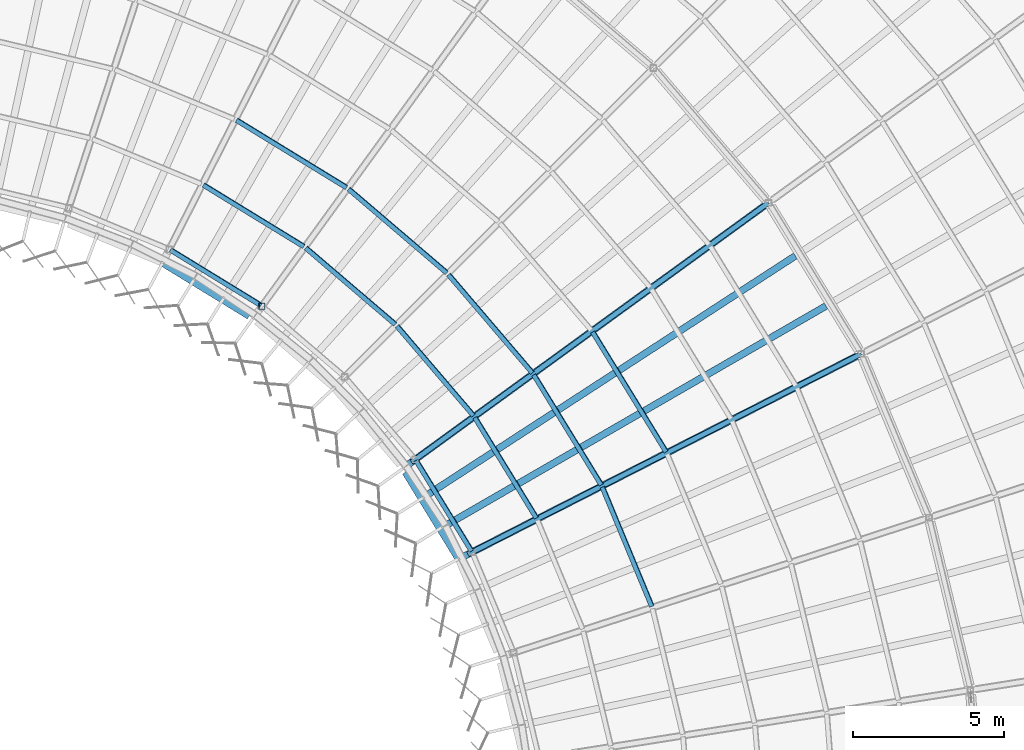
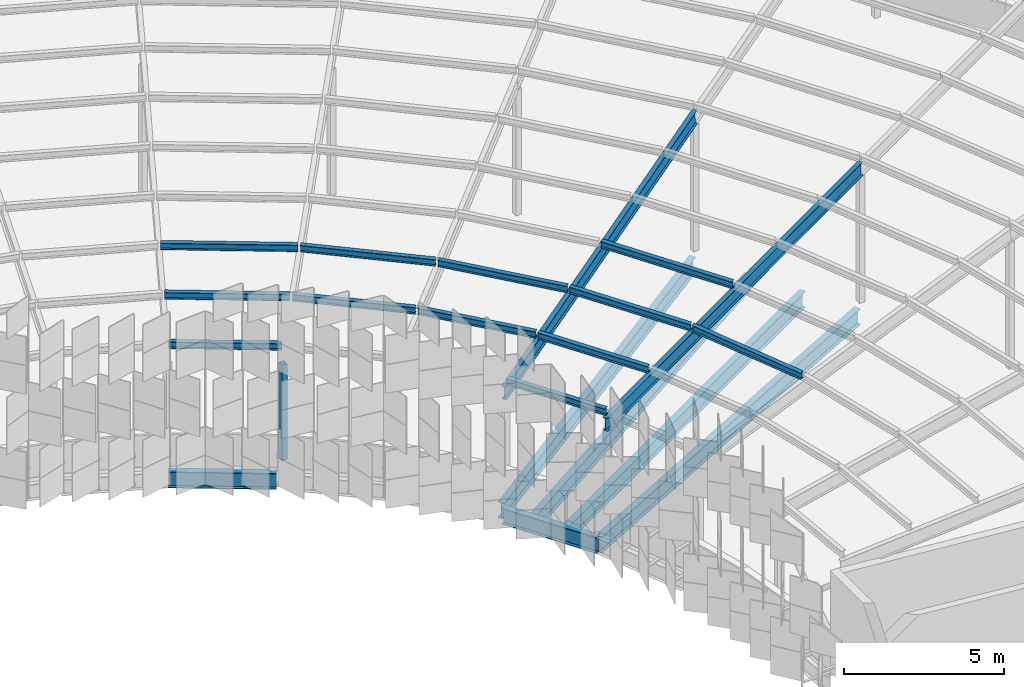
# One storey, part 83 of 483: 15 members, 6 beams.
"""IFC4 building model written with IfcOpenShell, lengths in metres."""

from ifc_helpers import new_model, si_unit, direction, frame, origin, origin_2d, place, context, subcontext, project, spatial, hollow_rectangle, i_section, extrude, material, material_profile, profile_set, type_object, element, save


model = new_model("IFC4")

# Units and contexts
model_context = context("Model", 3, precision=1e-05, world=origin(), true_north=direction((0.0, 1.0)))
body_context = subcontext(model_context, "Body", "Model", "MODEL_VIEW")
ifc_project = project(units=[si_unit("LENGTHUNIT", "METRE"), si_unit("AREAUNIT", "SQUARE_METRE"), si_unit("VOLUMEUNIT", "CUBIC_METRE"), si_unit("PLANEANGLEUNIT", "RADIAN"), si_unit("MASSUNIT", "GRAM", prefix="KILO")], contexts=[model_context])

# Site, building, storey
site_placement = place(None, origin())
site = spatial("IfcSite", under=ifc_project, at=site_placement, CompositionType="ELEMENT")
building_placement = place(site_placement, origin())
building = spatial("IfcBuilding", under=site, at=building_placement, Name="Parallax Yard Mobility Hub", CompositionType="ELEMENT")
storey_placement = place(building_placement, frame((0.0, 0.0, 13.199951171875)))
storey = spatial("IfcBuildingStorey", under=building, at=storey_placement, Name="L04", CompositionType="ELEMENT", Elevation=13.199951171875)

# Members
ifc_material_1 = material(Name="Steel ASTM A500 Gr C", Category="steel")
ifc_material_profile_1 = material_profile(ifc_material_1, hollow_rectangle(XDim=0.203125, YDim=0.203125, WallThickness=0.009521484375, at=origin_2d()), Name="HSS203x203x9.5")
ifc_profile_set_1 = profile_set([ifc_material_profile_1], Name="Steel ASTM A500 Gr C")
member_type_1 = type_object("IfcMemberType", Name="Canopy post HSS203x203x9.5", PredefinedType="POST", material=ifc_profile_set_1)
member_1_placement = place(storey_placement, frame((186.01904296875, 108.607421875, 0.0), z_axis=(0.0, 0.0, 1.0), x_axis=(1.0, 0.0, 0.0)))
element("IfcMember", 1, at=member_1_placement, inside=storey, type_object=member_type_1, Name="Canopy post RA/R4", PredefinedType="POST", context=body_context, shape_type="SweptSolid", body=[
    extrude(hollow_rectangle(XDim=0.203125, YDim=0.203125, WallThickness=0.009521484375, at=origin_2d()), origin(), (0.0, 0.0, 1.0), 3.650146484375),
])
ifc_material_2 = material(Name="Steel ASTM A992", Category="steel")
ifc_material_profile_2 = material_profile(ifc_material_2, i_section(OverallWidth=0.14794921875, OverallDepth=0.26611328125, WebThickness=0.007568359375, FlangeThickness=0.012939453125, at=origin_2d()), Name="W250x45")
ifc_profile_set_2 = profile_set([ifc_material_profile_2], Name="Steel ASTM A992")
member_type_2 = type_object("IfcMemberType", Name="Canopy purlin W250x45", PredefinedType="PURLIN", material=ifc_profile_set_2)
member_2_placement = place(storey_placement, frame((182.9814453125, 110.4814453125, 4.302001953125), z_axis=(0.852633066962, -0.522510146431, 0.0), x_axis=(0.520835842829, 0.849900935108, 0.079990157691)))
element("IfcMember", 2, at=member_2_placement, inside=storey, type_object=member_type_2, Name="Canopy purlin sector R3-R4 line 1", PredefinedType="PURLIN", context=body_context, shape_type="SweptSolid", body=[
    extrude(i_section(OverallWidth=0.14794921875, OverallDepth=0.26611328125, WebThickness=0.007568359375, FlangeThickness=0.012939453125, at=origin_2d()), origin(), (0.0, 0.0, 1.0), 3.529052734375),
])
member_3_placement = place(storey_placement, frame((184.07861328125, 112.634521484375, 4.495361328125), z_axis=(0.852643447122, -0.522493207688, 0.0), x_axis=(0.520818958363, 0.849911282006, 0.079990157691)))
element("IfcMember", 3, at=member_3_placement, inside=storey, type_object=member_type_2, Name="Canopy purlin sector R3-R4 line 2", PredefinedType="PURLIN", context=body_context, shape_type="SweptSolid", body=[
    extrude(i_section(OverallWidth=0.14794921875, OverallDepth=0.26611328125, WebThickness=0.007568359375, FlangeThickness=0.012939453125, at=origin_2d()), origin(), (0.0, 0.0, 1.0), 3.908203125),
])
member_4_placement = place(storey_placement, frame((185.17578125, 114.787841796875, 4.688720703125), z_axis=(0.852642168431, -0.522495294345, 0.0), x_axis=(0.520821038335, 0.849910007413, 0.079990157691)))
element("IfcMember", 4, at=member_4_placement, inside=storey, type_object=member_type_2, Name="Canopy purlin sector R3-R4 line 3", PredefinedType="PURLIN", context=body_context, shape_type="SweptSolid", body=[
    extrude(i_section(OverallWidth=0.14794921875, OverallDepth=0.26611328125, WebThickness=0.007568359375, FlangeThickness=0.012939453125, at=origin_2d()), origin(), (0.0, 0.0, 1.0), 4.28759765625),
])
member_5_placement = place(storey_placement, frame((187.476806640625, 110.544677734375, 4.495361328125), z_axis=(0.760397457051, -0.649458010429, 0.0), x_axis=(0.647376921873, 0.757960880058, 0.079990157691)))
element("IfcMember", 5, at=member_5_placement, inside=storey, type_object=member_type_2, Name="Canopy purlin sector R4-R5 line 2", PredefinedType="PURLIN", context=body_context, shape_type="SweptSolid", body=[
    extrude(i_section(OverallWidth=0.14794921875, OverallDepth=0.26611328125, WebThickness=0.007568359375, FlangeThickness=0.012939453125, at=origin_2d()), origin(), (0.0, 0.0, 1.0), 3.908447265625),
])
member_6_placement = place(storey_placement, frame((188.897216796875, 112.499755859375, 4.688720703125), z_axis=(0.760412926468, -0.649439898113, 0.0), x_axis=(0.647358867595, 0.757976299906, 0.079990157691)))
element("IfcMember", 6, at=member_6_placement, inside=storey, type_object=member_type_2, Name="Canopy purlin sector R4-R5 line 3", PredefinedType="PURLIN", context=body_context, shape_type="SweptSolid", body=[
    extrude(i_section(OverallWidth=0.14794921875, OverallDepth=0.26611328125, WebThickness=0.007568359375, FlangeThickness=0.012939453125, at=origin_2d()), origin(), (0.0, 0.0, 1.0), 4.287841796875),
])
member_7_placement = place(storey_placement, frame((190.50634765625, 107.94873046875, 4.495361328125), z_axis=(0.649458010429, -0.760397457051, 0.0), x_axis=(0.757960880058, 0.647376921873, 0.079990157691)))
element("IfcMember", 7, at=member_7_placement, inside=storey, type_object=member_type_2, Name="Canopy purlin sector R5-R6 line 2", PredefinedType="PURLIN", context=body_context, shape_type="SweptSolid", body=[
    extrude(i_section(OverallWidth=0.14794921875, OverallDepth=0.26611328125, WebThickness=0.007568359375, FlangeThickness=0.012939453125, at=origin_2d()), origin(), (0.0, 0.0, 1.0), 3.908447265625),
])
member_8_placement = place(storey_placement, frame((192.215087890625, 109.65771484375, 4.688720703125), z_axis=(0.649439898113, -0.760412926468, 0.0), x_axis=(0.757976299906, 0.647358867595, 0.079990157691)))
element("IfcMember", 8, at=member_8_placement, inside=storey, type_object=member_type_2, Name="Canopy purlin sector R5-R6 line 3", PredefinedType="PURLIN", context=body_context, shape_type="SweptSolid", body=[
    extrude(i_section(OverallWidth=0.14794921875, OverallDepth=0.26611328125, WebThickness=0.007568359375, FlangeThickness=0.012939453125, at=origin_2d()), origin(), (0.0, 0.0, 1.0), 4.287841796875),
])
member_9_placement = place(storey_placement, frame((191.137451171875, 103.490478515625, 4.302001953125), z_axis=(0.522510146431, -0.852633066962, 0.0), x_axis=(0.849900935108, 0.520835842829, 0.079990157691)))
element("IfcMember", 9, at=member_9_placement, inside=storey, type_object=member_type_2, Name="Canopy purlin sector R6-R7 line 1", PredefinedType="PURLIN", context=body_context, shape_type="SweptSolid", body=[
    extrude(i_section(OverallWidth=0.14794921875, OverallDepth=0.26611328125, WebThickness=0.007568359375, FlangeThickness=0.012939453125, at=origin_2d()), origin(), (0.0, 0.0, 1.0), 3.529052734375),
])
member_10_placement = place(storey_placement, frame((193.092529296875, 104.910888671875, 4.495361328125), z_axis=(0.522493207688, -0.852643447122, 0.0), x_axis=(0.849911282006, 0.520818958363, 0.079990157691)))
element("IfcMember", 10, at=member_10_placement, inside=storey, type_object=member_type_2, Name="Canopy purlin sector R6-R7 line 2", PredefinedType="PURLIN", context=body_context, shape_type="SweptSolid", body=[
    extrude(i_section(OverallWidth=0.14794921875, OverallDepth=0.26611328125, WebThickness=0.007568359375, FlangeThickness=0.012939453125, at=origin_2d()), origin(), (0.0, 0.0, 1.0), 3.908203125),
])
member_11_placement = place(storey_placement, frame((195.047607421875, 106.33154296875, 4.688720703125), z_axis=(0.522495294345, -0.852642168431, 0.0), x_axis=(0.849910007413, 0.520821038335, 0.079990157691)))
element("IfcMember", 11, at=member_11_placement, inside=storey, type_object=member_type_2, Name="Canopy purlin sector R6-R7 line 3", PredefinedType="PURLIN", context=body_context, shape_type="SweptSolid", body=[
    extrude(i_section(OverallWidth=0.14794921875, OverallDepth=0.26611328125, WebThickness=0.007568359375, FlangeThickness=0.012939453125, at=origin_2d()), origin(), (0.0, 0.0, 1.0), 4.28759765625),
])
member_12_placement = place(storey_placement, frame((197.002685546875, 107.751953125, 4.882080078125), z_axis=(0.522520347915, -0.85262681521, 0.0), x_axis=(0.849894703389, 0.520846011624, 0.079990157691)))
element("IfcMember", 12, at=member_12_placement, inside=storey, type_object=member_type_2, Name="Canopy purlin sector R6-R7 line 4", PredefinedType="PURLIN", context=body_context, shape_type="SweptSolid", body=[
    extrude(i_section(OverallWidth=0.14794921875, OverallDepth=0.26611328125, WebThickness=0.007568359375, FlangeThickness=0.012939453125, at=origin_2d()), origin(), (0.0, 0.0, 1.0), 4.666748046875),
])
member_13_placement = place(storey_placement, frame((197.32470703125, 102.603271484375, 4.688720703125), z_axis=(0.382702141804, -0.923871782586, 0.0), x_axis=(0.920911377197, 0.381475831503, 0.079990157691)))
element("IfcMember", 13, at=member_13_placement, inside=storey, type_object=member_type_2, Name="Canopy purlin sector R7-R8 line 3", PredefinedType="PURLIN", context=body_context, shape_type="SweptSolid", body=[
    extrude(i_section(OverallWidth=0.14794921875, OverallDepth=0.26611328125, WebThickness=0.007568359375, FlangeThickness=0.012939453125, at=origin_2d()), origin(), (0.0, 0.0, 1.0), 4.28759765625),
])
ifc_material_profile_3 = material_profile(ifc_material_2, i_section(OverallWidth=0.166015625, OverallDepth=0.529052734375, WebThickness=0.009765625, FlangeThickness=0.013671875, at=origin_2d()), Name="W530x74")
ifc_profile_set_3 = profile_set([ifc_material_profile_3], Name="Steel ASTM A992")
member_type_3 = type_object("IfcMemberType", Name="Canopy rafter W530x74", PredefinedType="RAFTER", material=ifc_profile_set_3)
for number, where, z_axis, x_axis, name in (
    (14, (191.003173828125, 103.443359375, 3.89501953125), (0.806445716251, 0.585904923416, 0.079754168906), (-0.587777250957, 0.809022807625, 0.0), "Canopy rafter R6 inner span"),
    (15, (192.87841796875, 100.38330078125, 3.89501953125), (0.888166745558, 0.452547245534, 0.079754765649), (-0.453993434802, 0.891005028693, 0.0), "Canopy rafter R7 inner span"),
):
    element("IfcMember", number, at=place(storey_placement, frame(where, z_axis=z_axis, x_axis=x_axis)), inside=storey, type_object=member_type_3, Name=name, PredefinedType="RAFTER", context=body_context, shape_type="SweptSolid", body=[
        extrude(i_section(OverallWidth=0.166015625, OverallDepth=0.529052734375, WebThickness=0.009765625, FlangeThickness=0.013671875, at=origin_2d()), origin(), (0.0, 0.0, 1.0), 14.696533203125),
    ])

# Beams
ifc_material_profile_4 = material_profile(ifc_material_2, i_section(OverallWidth=0.22802734375, OverallDepth=0.60205078125, WebThickness=0.010498046875, FlangeThickness=0.014892578125, FilletRadius=0.0126953125, at=origin_2d()), Name="W610x101")
ifc_profile_set_4 = profile_set([ifc_material_profile_4], Name="Steel ASTM A992")
beam_type_1 = type_object("IfcBeamType", Name="W610x101 secondary beam", PredefinedType="JOIST", material=ifc_profile_set_4)
beam_1_placement = place(storey_placement, frame((191.414306640625, 102.283203125, -0.44091796875), z_axis=(0.838677190978, 0.544628836303, 0.0), x_axis=(-0.544628836303, 0.838677190978, 0.0)))
element("IfcBeam", 16, at=beam_1_placement, inside=storey, type_object=beam_type_1, Name="Secondary beam B3 level L04, radial at 57 degrees of ramped parking decks, span 1", PredefinedType="JOIST", context=body_context, shape_type="SweptSolid", body=[
    extrude(i_section(OverallWidth=0.22802734375, OverallDepth=0.60205078125, WebThickness=0.010498046875, FlangeThickness=0.014892578125, FilletRadius=0.0126953125, at=origin_2d()), origin(), (0.0, 0.0, 1.0), 14.681640625),
])
beam_2_placement = place(storey_placement, frame((192.03125, 101.2763671875, -0.44091796875), z_axis=(0.866028298505, 0.499994986164, 0.0), x_axis=(-0.499994986164, 0.866028298505, 0.0)))
element("IfcBeam", 17, at=beam_2_placement, inside=storey, type_object=beam_type_1, Name="Secondary beam B3 level L04, radial at 60 degrees of ramped parking decks, span 1", PredefinedType="JOIST", context=body_context, shape_type="SweptSolid", body=[
    extrude(i_section(OverallWidth=0.22802734375, OverallDepth=0.60205078125, WebThickness=0.010498046875, FlangeThickness=0.014892578125, FilletRadius=0.0126953125, at=origin_2d()), origin(), (0.0, 0.0, 1.0), 14.681884765625),
])
ifc_material_profile_5 = material_profile(ifc_material_2, i_section(OverallWidth=0.22900390625, OverallDepth=0.612060546875, WebThickness=0.011962890625, FlangeThickness=0.01953125, FilletRadius=0.0126953125, at=origin_2d()), Name="W610x125")
ifc_profile_set_5 = profile_set([ifc_material_profile_5], Name="Steel ASTM A992")
beam_type_2 = type_object("IfcBeamType", Name="W610x125 edge beam", PredefinedType="SPANDREL", material=ifc_profile_set_5)
for number, where, z_axis, x_axis, name in (
    (18, (182.71484375, 110.047607421875, -0.446044921875), (0.852627222233, -0.522519683751, 0.0), (0.522519683751, 0.852627222233, 0.0), "Edge beam SB7 level L04, ring RA of ramped parking decks, span 4"),
    (19, (190.78271484375, 103.0947265625, -0.446044921875), (0.522519683751, -0.852627222233, 0.0), (0.852627222233, 0.522519683751, 0.0), "Edge beam SB7 level L04, ring RA of ramped parking decks, span 7"),
):
    element("IfcBeam", number, at=place(storey_placement, frame(where, z_axis=z_axis, x_axis=x_axis)), inside=storey, type_object=beam_type_2, Name=name, PredefinedType="SPANDREL", context=body_context, shape_type="SweptSolid", body=[
        extrude(i_section(OverallWidth=0.22900390625, OverallDepth=0.612060546875, WebThickness=0.011962890625, FlangeThickness=0.01953125, FilletRadius=0.0126953125, at=origin_2d()), origin(), (0.0, 0.0, 1.0), 3.377685546875),
    ])
ifc_material_profile_6 = material_profile(ifc_material_2, i_section(OverallWidth=0.22900390625, OverallDepth=0.612060546875, WebThickness=0.011962890625, FlangeThickness=0.01953125, FilletRadius=0.0126953125, at=origin_2d()), Name="W610x125")
ifc_profile_set_6 = profile_set([ifc_material_profile_6], Name="Steel ASTM A992")
beam_type_3 = type_object("IfcBeamType", Name="W610x125 girder", PredefinedType="BEAM", material=ifc_profile_set_6)
beam_3_placement = place(storey_placement, frame((190.8271484375, 103.3154296875, -0.446044921875), z_axis=(0.809012832129, 0.587790981089, 0.0), x_axis=(-0.587790981089, 0.809012832129, 0.0)))
element("IfcBeam", 20, at=beam_3_placement, inside=storey, type_object=beam_type_3, Name="Girder G3 level L04, radial R6 of ramped parking decks, span 1", PredefinedType="BEAM", context=body_context, shape_type="SweptSolid", body=[
    extrude(i_section(OverallWidth=0.22900390625, OverallDepth=0.612060546875, WebThickness=0.011962890625, FlangeThickness=0.01953125, FilletRadius=0.0126953125, at=origin_2d()), origin(), (0.0, 0.0, 1.0), 14.682373046875),
])
beam_4_placement = place(storey_placement, frame((192.547607421875, 100.21484375, -0.446044921875), z_axis=(0.891008224691, 0.453987162301, 0.0), x_axis=(-0.453987162301, 0.891008224691, 0.0)))
element("IfcBeam", 21, at=beam_4_placement, inside=storey, type_object=beam_type_3, Name="Girder G3 level L04, radial R7 of ramped parking decks, span 2", PredefinedType="BEAM", context=body_context, shape_type="SweptSolid", body=[
    extrude(i_section(OverallWidth=0.22900390625, OverallDepth=0.612060546875, WebThickness=0.011962890625, FlangeThickness=0.01953125, FilletRadius=0.0126953125, at=origin_2d()), origin(), (0.0, 0.0, 1.0), 14.8359375),
])

save(model, "model.ifc")
